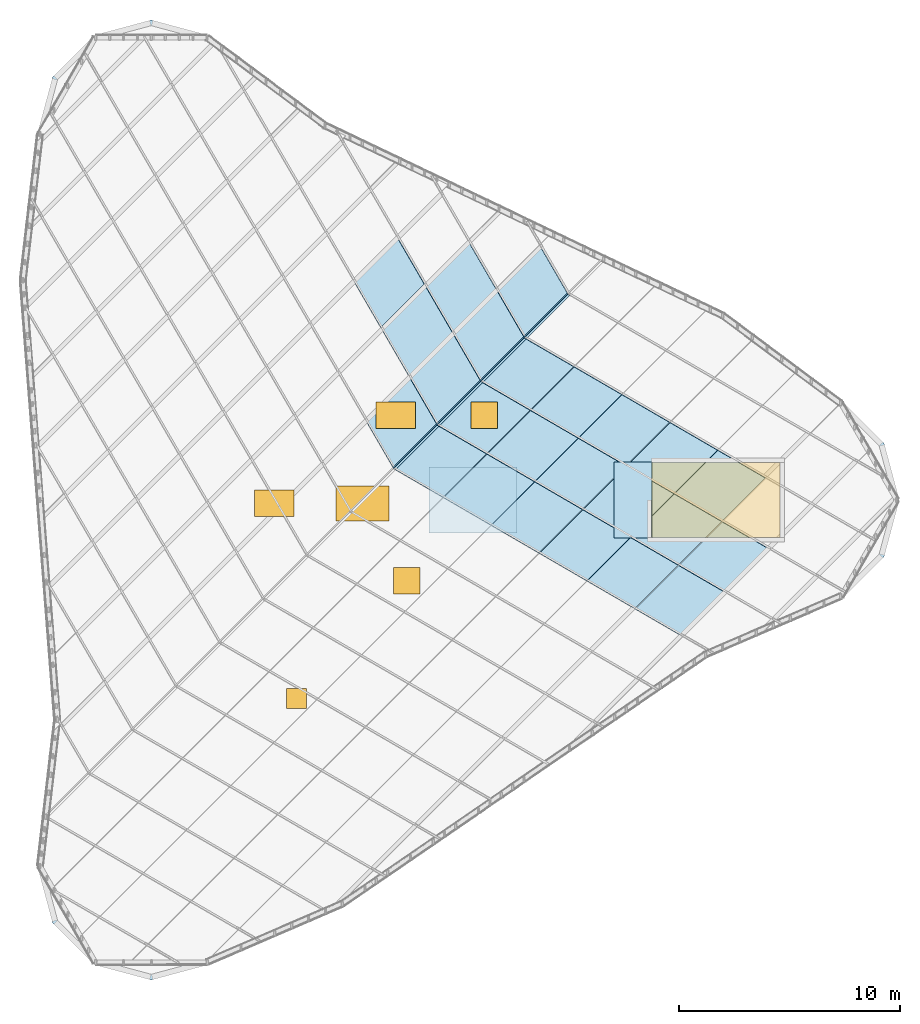
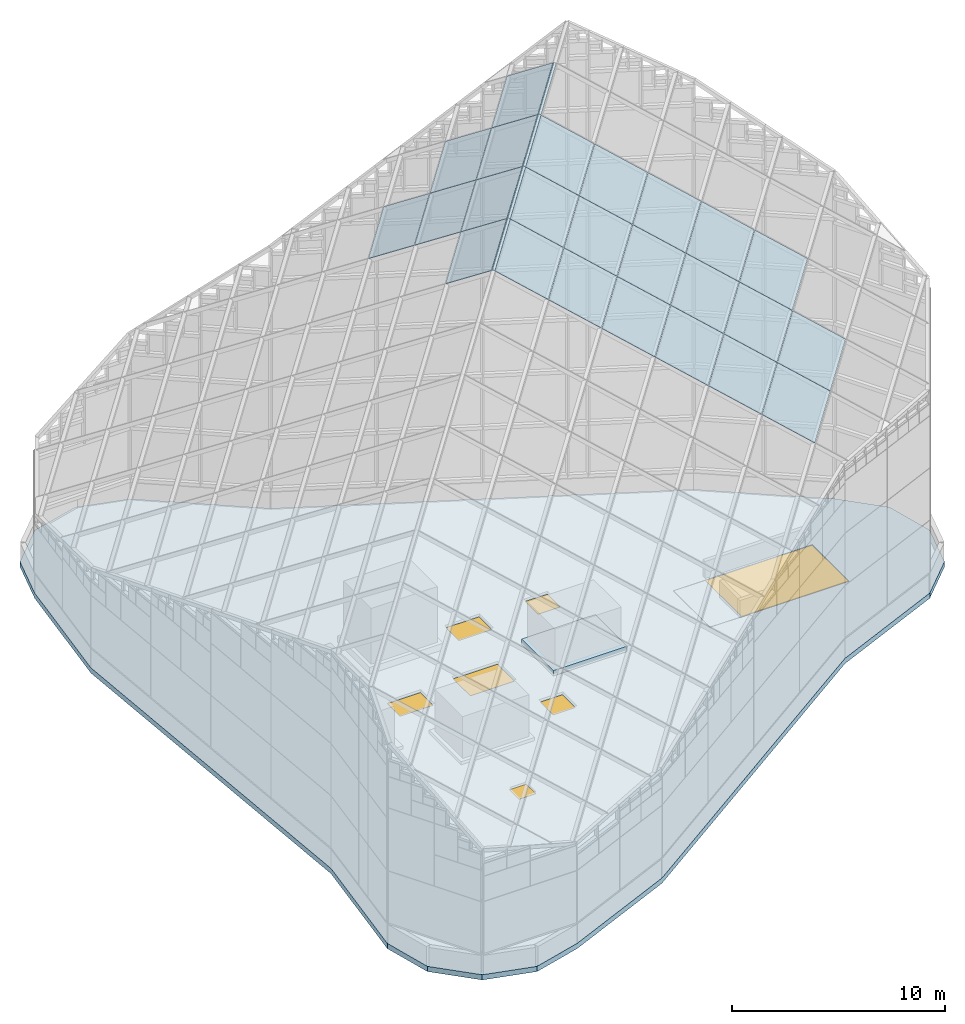
"""IFC4 building model written with IfcOpenShell, lengths in metres."""

from ifc_helpers import new_model, si_unit, direction, frame, origin, origin_2d, place, context, subcontext, project, spatial, polyline, rectangle, outline, extrude, material, layer, layer_set, type_object, element, fill, aggregate, save


model = new_model("IFC4")

# Units and contexts
model_context = context("Model", 3, precision=1e-05, world=origin(), true_north=direction((0.0, 1.0)))
body_context = subcontext(model_context, "Body", "Model", "MODEL_VIEW")
ifc_project = project(units=[si_unit("LENGTHUNIT", "METRE"), si_unit("AREAUNIT", "SQUARE_METRE"), si_unit("VOLUMEUNIT", "CUBIC_METRE"), si_unit("PLANEANGLEUNIT", "RADIAN"), si_unit("MASSUNIT", "GRAM", prefix="KILO")], contexts=[model_context])

# Site, building, storey
site_placement = place(None, origin())
site = spatial("IfcSite", under=ifc_project, at=site_placement, CompositionType="ELEMENT")
building_placement = place(site_placement, origin())
building = spatial("IfcBuilding", under=site, at=building_placement, Name="Tanit Gate Tower", CompositionType="ELEMENT")
storey_1_placement = place(building_placement, frame((0.0, 0.0, 445.300048828125)))
storey_1 = spatial("IfcBuildingStorey", under=building, at=storey_1_placement, Name="ROOF", CompositionType="ELEMENT", Elevation=445.300048828125)

# Slab
ifc_material_1 = material(Name="Concrete C30/37", Category="concrete")
ifc_layer_1 = layer(ifc_material_1, 0.300048828125)
ifc_layer_set_1 = layer_set([ifc_layer_1], Name="EQUIPMENT PLINTH 300 C30/37")
slab_type_1 = type_object("IfcSlabType", Name="EQUIPMENT PLINTH 300 C30/37", PredefinedType="USERDEFINED", material=ifc_layer_set_1)
slab_1_placement = place(storey_1_placement, origin())
element("IfcSlab", 1, at=slab_1_placement, inside=storey_1, type_object=slab_type_1, Name="Chiller plinth 1", ObjectType="EQUIPMENT PLINTH", PredefinedType="USERDEFINED", context=body_context, shape_type="SweptSolid", body=[
    extrude(outline(polyline([(3.0, -1.5), (7.0, -1.5), (7.0, 1.5), (3.0, 1.5), (3.0, -1.5)])), origin(), (0.0, 0.0, 1.0), 0.300048828125),
])

# Curtain wall, plates
ifc_material_2 = material(Name="Aluminium bronze anodised and glass", Category="aluminium")
curtain_wall_type = type_object("IfcCurtainWallType", Name="Curtain wall crown roof", PredefinedType="NOTDEFINED", material=ifc_material_2)
curtain_wall_placement = place(storey_1_placement, origin())
curtain_wall = element("IfcCurtainWall", 2, at=curtain_wall_placement, inside=storey_1, type_object=curtain_wall_type, Name="Crown lantern", PredefinedType="NOTDEFINED")
ifc_material_3 = material(Name="Glass tinted laminated safety", Category="glass")
ifc_layer_2 = layer(ifc_material_3, 0.033935546875)
ifc_layer_set_2 = layer_set([ifc_layer_2], Name="Glass panel 34 crown roof")
plate_type = type_object("IfcPlateType", Name="Glass panel 34 crown roof", PredefinedType="CURTAIN_PANEL", material=ifc_layer_set_2)
plate_1_placement = place(storey_1_placement, frame((3.341796875, 3.451171875, 23.14697265625), z_axis=(-0.623731522081, 0.2061754524, 0.753956677263), x_axis=(-0.658422406648, -0.658415435149, -0.364649213878)))
plate_1 = element("IfcPlate", 3, at=plate_1_placement, type_object=plate_type, Name="Lantern roof glass E9.1.1", PredefinedType="CURTAIN_PANEL", context=body_context, shape_type="SweptSolid", body=[
    extrude(outline(polyline([(0.0, 0.0), (2.996058348100865, 0.0), (2.9959695200225775, 0.05843630019068724), (7.191787755947074e-05, 0.058613025087940696), (0.0, 0.0)])), origin(), (0.0, 0.0, -1.0), 0.033935546875),
])
plate_2_placement = place(storey_1_placement, frame((1.36767578125, 1.4814453125, 22.052490234375), z_axis=(-0.624534237095, 0.20751093055, 0.75292509614), x_axis=(0.658416942387, 0.658402803552, 0.364681886378)))
plate_2 = element("IfcPlate", 4, at=plate_2_placement, type_object=plate_type, Name="Lantern roof glass E9.1.2", PredefinedType="CURTAIN_PANEL", context=body_context, shape_type="SweptSolid", body=[
    extrude(outline(polyline([(0.0, 0.0), (2.995736857662405, 0.0), (2.995745035984335, 2.984043891428065), (-0.0003133108738556656, 2.983969808799458), (0.0, 0.0)])), origin(), (0.0, 0.0, -1.0), 0.033935546875),
])
plate_3_placement = place(storey_1_placement, frame((5.317138671875, 5.42626953125, 24.240966796875), z_axis=(-0.62501553161, 0.208370909693, 0.752287943037), x_axis=(-0.658417167069, -0.658417167069, -0.364655547356)))
plate_3 = element("IfcPlate", 5, at=plate_3_placement, type_object=plate_type, Name="Lantern roof glass E10.1.1", PredefinedType="CURTAIN_PANEL", context=body_context, shape_type="SweptSolid", body=[
    extrude(outline(polyline([(0.0, 0.0), (2.9960583482065744, 1.1102230246251565e-16), (2.9961302662955505, 0.058333729505454346), (7.191808897581177e-05, 0.05833372950545447), (0.0, 0.0)])), origin(), (0.0, 0.0, -1.0), 0.033935546875),
])
plate_4_placement = place(storey_1_placement, frame((3.3427734375, 3.45654296875, 23.146240234375), z_axis=(-0.624482872201, 0.207452924098, 0.752983682831), x_axis=(0.658417167069, 0.658417167069, 0.364655547356)))
plate_4 = element("IfcPlate", 6, at=plate_4_placement, type_object=plate_type, Name="Lantern roof glass E10.1.2", PredefinedType="CURTAIN_PANEL", context=body_context, shape_type="SweptSolid", body=[
    extrude(outline(polyline([(0.0, 0.0), (2.9960583482065744, -1.1102230246251565e-16), (2.9960685937987797, 2.9840127115717037), (1.0245592205304632e-05, 2.9840127115717037), (0.0, 0.0)])), origin(), (0.0, 0.0, -1.0), 0.033935546875),
])
plate_5_placement = place(storey_1_placement, frame((2.801513671875, 9.758544921875, 20.9609375), z_axis=(-0.624491565552, 0.207467895005, 0.752972348162), x_axis=(-0.658417167069, -0.658417167069, -0.364655547356)))
plate_5 = element("IfcPlate", 7, at=plate_5_placement, type_object=plate_type, Name="Lantern roof glass E10.2.1", PredefinedType="CURTAIN_PANEL", context=body_context, shape_type="SweptSolid", body=[
    extrude(outline(polyline([(0.0, 0.0), (2.9960583482065744, -1.1102230246251565e-16), (2.9960611334161062, 2.971889131192224), (2.7852095315639147e-06, 2.9718891311922246), (0.0, 0.0)])), origin(), (0.0, 0.0, -1.0), 0.033935546875),
])
plate_6_placement = place(storey_1_placement, frame((1.541015625, 11.92919921875, 19.317626953125), z_axis=(-0.624490382617, 0.207420255659, 0.75298645377), x_axis=(-0.658386892491, -0.658447215859, -0.364655952541)))
plate_6 = element("IfcPlate", 8, at=plate_6_placement, type_object=plate_type, Name="Lantern roof glass E10.3.1", PredefinedType="CURTAIN_PANEL", context=body_context, shape_type="SweptSolid", body=[
    extrude(outline(polyline([(0.0, 0.0), (2.99589760649327, 1.1102230246251565e-16), (2.996162893979394, 2.9720657576398315), (0.00010454849869967475, 2.972168336937478), (0.0, 0.0)])), origin(), (0.0, 0.0, -1.0), 0.033935546875),
])
plate_7_placement = place(storey_1_placement, frame((7.292236328125, 7.401611328125, 25.3349609375), z_axis=(-0.624483772663, 0.207408873625, 0.752995070915), x_axis=(-0.658386892155, -0.658447216204, -0.364655952524)))
plate_7 = element("IfcPlate", 9, at=plate_7_placement, type_object=plate_type, Name="Lantern roof glass E11.1.1", PredefinedType="CURTAIN_PANEL", context=body_context, shape_type="SweptSolid", body=[
    extrude(outline(polyline([(0.0, 0.0), (2.9958976064932905, 1.1102230246251565e-16), (2.99597151992278, 0.058333677201745426), (-8.682555785304719e-05, 0.05843625889800637), (0.0, 0.0)])), origin(), (0.0, 0.0, -1.0), 0.033935546875),
])
plate_8_placement = place(storey_1_placement, frame((5.318115234375, 5.431884765625, 24.240234375), z_axis=(-0.624480872258, 0.207464629894, 0.752982116339), x_axis=(0.658422445744, 0.658415413422, 0.364649182514)))
plate_8 = element("IfcPlate", 10, at=plate_8_placement, type_object=plate_type, Name="Lantern roof glass E11.1.2", PredefinedType="CURTAIN_PANEL", context=body_context, shape_type="SweptSolid", body=[
    extrude(outline(polyline([(0.0, 0.0), (2.9960583480995386, 0.0), (2.995907847527131, 2.9838360765115497), (1.0245378134654537e-05, 2.9840127114642363), (0.0, 0.0)])), origin(), (0.0, 0.0, -1.0), 0.033935546875),
])
plate_9_placement = place(storey_1_placement, frame((4.776611328125, 11.73388671875, 22.054931640625), z_axis=(-0.624488397368, 0.207431984172, 0.752984869367), x_axis=(-0.658392170723, -0.65844546253, -0.364649588515)))
plate_9 = element("IfcPlate", 11, at=plate_9_placement, type_object=plate_type, Name="Lantern roof glass E11.2.1", PredefinedType="CURTAIN_PANEL", context=body_context, shape_type="SweptSolid", body=[
    extrude(outline(polyline([(0.0, 0.0), (2.995897605741961, -1.1102230246251565e-16), (2.996002139727374, 2.971889127619991), (0.00010454699610806806, 2.972168336180223), (0.0, 0.0)])), origin(), (0.0, 0.0, -1.0), 0.033935546875),
])
plate_10_placement = place(storey_1_placement, frame((9.267578125, 9.376708984375, 26.428955078125), z_axis=(-0.623731522081, 0.2061754524, 0.753956677263), x_axis=(-0.658447253718, -0.658372733946, -0.364681446288)))
plate_10 = element("IfcPlate", 12, at=plate_10_placement, type_object=plate_type, Name="Lantern roof glass E12.1.1", PredefinedType="CURTAIN_PANEL", context=body_context, shape_type="SweptSolid", body=[
    extrude(outline(polyline([(0.0, 0.0), (2.9958976073574273, -1.1102230246251565e-16), (2.995966067713213, 0.05861302922832379), (-9.227517496346489e-05, 0.05843629484914067), (0.0, 0.0)])), origin(), (0.0, 0.0, -1.0), 0.033935546875),
])
plate_11_placement = place(storey_1_placement, frame((7.293212890625, 7.406982421875, 25.334228515625), z_axis=(-0.624510358389, 0.207454654324, 0.752960409759), x_axis=(0.658401276727, 0.658422445929, 0.364674706418)))
plate_11 = element("IfcPlate", 13, at=plate_11_placement, type_object=plate_type, Name="Lantern roof glass E12.1.2", PredefinedType="CURTAIN_PANEL", context=body_context, shape_type="SweptSolid", body=[
    extrude(outline(polyline([(0.0, 0.0), (2.996058347236692, 0.0), (2.996068594768666, 2.9840127105978995), (0.00017099003117471145, 2.9839101440526066), (0.0, 0.0)])), origin(), (0.0, 0.0, -1.0), 0.033935546875),
])
plate_12_placement = place(storey_1_placement, frame((3.355224609375, 3.3974609375, 23.2197265625), z_axis=(0.207656831584, -0.624627742446, 0.752807295172), x_axis=(-0.658447208677, -0.658386899482, -0.364655952886)))
plate_12 = element("IfcPlate", 14, at=plate_12_placement, type_object=plate_type, Name="Lantern roof glass W11.1.1", PredefinedType="CURTAIN_PANEL", context=body_context, shape_type="SweptSolid", body=[
    extrude(outline(polyline([(0.0, 0.0), (2.995897606492843, 1.1102230246251565e-16), (2.9960607707827633, 0.1327580633927542), (2.425300788824747e-06, 0.13265553395857857), (0.0, 0.0)])), origin(), (0.0, 0.0, -1.0), 0.033935546875),
])
plate_13_placement = place(storey_1_placement, frame((3.64013671875, 0.114013671875, 20.417724609375), z_axis=(0.20751093055, -0.624534237095, 0.75292509614), x_axis=(0.658420692992, 0.658406555674, 0.364668340393)))
plate_13 = element("IfcPlate", 15, at=plate_13_placement, type_object=plate_type, Name="Lantern roof glass W11.1.2", PredefinedType="CURTAIN_PANEL", context=body_context, shape_type="SweptSolid", body=[
    extrude(outline(polyline([(0.0, 0.0), (2.9960583477741, 0.0), (2.995976383901394, 2.9840438903136057), (0.00023952715480046738, 2.9839698156343877), (0.0, 0.0)])), origin(), (0.0, 0.0, -1.0), 0.033935546875),
])
plate_14_placement = place(storey_1_placement, frame((5.810791015625, -1.146484375, 18.7744140625), z_axis=(0.207465003444, -0.624516368041, 0.752952573802), x_axis=(0.658422446243, 0.658401276421, 0.364674706403)))
plate_14 = element("IfcPlate", 16, at=plate_14_placement, type_object=plate_type, Name="Lantern roof glass W11.2.1", PredefinedType="CURTAIN_PANEL", context=body_context, shape_type="SweptSolid", body=[
    extrude(outline(polyline([(0.0, 0.0), (2.996058347236673, 0.0), (2.995983844821482, 2.972199502003347), (8.624008393498528e-05, 2.972302066367685), (0.0, 0.0)])), origin(), (0.0, 0.0, -1.0), 0.033935546875),
])
plate_15_placement = place(storey_1_placement, frame((7.981201171875, -2.40673828125, 17.131103515625), z_axis=(0.207467895005, -0.624491565552, 0.752972348162), x_axis=(0.658417167069, 0.658417167069, 0.364655547356)))
plate_15 = element("IfcPlate", 17, at=plate_15_placement, type_object=plate_type, Name="Lantern roof glass W11.3.1", PredefinedType="CURTAIN_PANEL", context=body_context, shape_type="SweptSolid", body=[
    extrude(outline(polyline([(0.0, 0.0), (2.9960583482065744, 1.1102230246251565e-16), (2.996055562997043, 2.971889131192225), (-2.7852095315639147e-06, 2.9718891311922246), (0.0, 0.0)])), origin(), (0.0, 0.0, -1.0), 0.033935546875),
])
plate_16_placement = place(storey_1_placement, frame((10.151611328125, -3.6669921875, 15.48779296875), z_axis=(0.207467895005, -0.624491565552, 0.752972348162), x_axis=(0.658417167069, 0.658417167069, 0.364655547356)))
plate_16 = element("IfcPlate", 18, at=plate_16_placement, type_object=plate_type, Name="Lantern roof glass W11.4.1", PredefinedType="CURTAIN_PANEL", context=body_context, shape_type="SweptSolid", body=[
    extrude(outline(polyline([(0.0, 0.0), (2.9960583482065744, 1.1102230246251565e-16), (2.996055562997043, 2.971889131192225), (-2.7852095315639147e-06, 2.9718891311922246), (0.0, 0.0)])), origin(), (0.0, 0.0, -1.0), 0.033935546875),
])
plate_17_placement = place(storey_1_placement, frame((12.322265625, -4.927490234375, 13.844482421875), z_axis=(0.207420255659, -0.624490382617, 0.75298645377), x_axis=(0.658422444885, 0.658401277743, 0.364674706468)))
plate_17 = element("IfcPlate", 19, at=plate_17_placement, type_object=plate_type, Name="Lantern roof glass W11.5.1", PredefinedType="CURTAIN_PANEL", context=body_context, shape_type="SweptSolid", body=[
    extrude(outline(polyline([(0.0, 0.0), (2.996058347236754, 0.0), (2.9958948175881313, 2.97206576498077), (-2.7871491735664833e-06, 2.9721683387749613), (0.0, 0.0)])), origin(), (0.0, 0.0, -1.0), 0.033935546875),
])
plate_18_placement = place(storey_1_placement, frame((14.49267578125, -6.187744140625, 12.201171875), z_axis=(0.207467895005, -0.624491565552, 0.752972348162), x_axis=(0.658417167069, 0.658417167069, 0.364655547356)))
plate_18 = element("IfcPlate", 20, at=plate_18_placement, type_object=plate_type, Name="Lantern roof glass W11.6.1", PredefinedType="CURTAIN_PANEL", context=body_context, shape_type="SweptSolid", body=[
    extrude(outline(polyline([(0.0, 0.0), (2.9960583482065744, 1.1102230246251565e-16), (2.996055562997043, 2.971889131192225), (-2.7852095315639147e-06, 2.9718891311922246), (0.0, 0.0)])), origin(), (0.0, 0.0, -1.0), 0.033935546875),
])
plate_19_placement = place(storey_1_placement, frame((5.330322265625, 5.372802734375, 24.313720703125), z_axis=(0.208089374918, -0.624852257907, 0.752501473643), x_axis=(-0.658417167069, -0.658417167069, -0.364655547356)))
plate_19 = element("IfcPlate", 21, at=plate_19_placement, type_object=plate_type, Name="Lantern roof glass W12.1.1", PredefinedType="CURTAIN_PANEL", context=body_context, shape_type="SweptSolid", body=[
    extrude(outline(polyline([(0.0, 0.0), (2.9960583482065744, 0.0), (2.9960653112304034, 0.13265555571127907), (6.963023828916726e-06, 0.13265555571127924), (0.0, 0.0)])), origin(), (0.0, 0.0, -1.0), 0.033935546875),
])
plate_20_placement = place(storey_1_placement, frame((5.615478515625, 2.089111328125, 21.51171875), z_axis=(0.207452924098, -0.624482872201, 0.752983682831), x_axis=(0.658417167069, 0.658417167069, 0.364655547356)))
plate_20 = element("IfcPlate", 22, at=plate_20_placement, type_object=plate_type, Name="Lantern roof glass W12.1.2", PredefinedType="CURTAIN_PANEL", context=body_context, shape_type="SweptSolid", body=[
    extrude(outline(polyline([(0.0, 0.0), (2.9960583482065744, 1.1102230246251565e-16), (2.996048102614369, 2.984012711571704), (-1.0245592205304632e-05, 2.9840127115717037), (0.0, 0.0)])), origin(), (0.0, 0.0, -1.0), 0.033935546875),
])
plate_21_placement = place(storey_1_placement, frame((7.785888671875, 0.828857421875, 19.868408203125), z_axis=(0.207467895005, -0.624491565552, 0.752972348162), x_axis=(0.658417167069, 0.658417167069, 0.364655547356)))
plate_21 = element("IfcPlate", 23, at=plate_21_placement, type_object=plate_type, Name="Lantern roof glass W12.2.1", PredefinedType="CURTAIN_PANEL", context=body_context, shape_type="SweptSolid", body=[
    extrude(outline(polyline([(0.0, 0.0), (2.9960583482065744, 1.1102230246251565e-16), (2.996055562997043, 2.971889131192225), (-2.7852095315639147e-06, 2.9718891311922246), (0.0, 0.0)])), origin(), (0.0, 0.0, -1.0), 0.033935546875),
])
plate_22_placement = place(storey_1_placement, frame((9.95654296875, -0.431396484375, 18.22509765625), z_axis=(0.207420255659, -0.624490382617, 0.75298645377), x_axis=(0.658447215859, 0.658386892491, 0.364655952541)))
plate_22 = element("IfcPlate", 24, at=plate_22_placement, type_object=plate_type, Name="Lantern roof glass W12.3.1", PredefinedType="CURTAIN_PANEL", context=body_context, shape_type="SweptSolid", body=[
    extrude(outline(polyline([(0.0, 0.0), (2.99589760649327, -1.1102230246251565e-16), (2.99579305799457, 2.972168336937478), (-0.0002652874861243104, 2.972065757639831), (0.0, 0.0)])), origin(), (0.0, 0.0, -1.0), 0.033935546875),
])
plate_23_placement = place(storey_1_placement, frame((12.126953125, -1.69189453125, 16.581787109375), z_axis=(0.207467895005, -0.624491565552, 0.752972348162), x_axis=(0.658417167069, 0.658417167069, 0.364655547356)))
plate_23 = element("IfcPlate", 25, at=plate_23_placement, type_object=plate_type, Name="Lantern roof glass W12.4.1", PredefinedType="CURTAIN_PANEL", context=body_context, shape_type="SweptSolid", body=[
    extrude(outline(polyline([(0.0, 0.0), (2.9960583482065744, 1.1102230246251565e-16), (2.996055562997043, 2.971889131192225), (-2.7852095315639147e-06, 2.9718891311922246), (0.0, 0.0)])), origin(), (0.0, 0.0, -1.0), 0.033935546875),
])
plate_24_placement = place(storey_1_placement, frame((14.29736328125, -2.9521484375, 14.9384765625), z_axis=(0.207467895005, -0.624491565552, 0.752972348162), x_axis=(0.658417167069, 0.658417167069, 0.364655547356)))
plate_24 = element("IfcPlate", 26, at=plate_24_placement, type_object=plate_type, Name="Lantern roof glass W12.5.1", PredefinedType="CURTAIN_PANEL", context=body_context, shape_type="SweptSolid", body=[
    extrude(outline(polyline([(0.0, 0.0), (2.9960583482065744, 1.1102230246251565e-16), (2.996055562997043, 2.971889131192225), (-2.7852095315639147e-06, 2.9718891311922246), (0.0, 0.0)])), origin(), (0.0, 0.0, -1.0), 0.033935546875),
])
plate_25_placement = place(storey_1_placement, frame((16.468017578125, -4.21240234375, 13.295166015625), z_axis=(0.207420255659, -0.624490382617, 0.75298645377), x_axis=(0.658447215859, 0.658386892491, 0.364655952541)))
plate_25 = element("IfcPlate", 27, at=plate_25_placement, type_object=plate_type, Name="Lantern roof glass W12.6.1", PredefinedType="CURTAIN_PANEL", context=body_context, shape_type="SweptSolid", body=[
    extrude(outline(polyline([(0.0, 0.0), (2.99589760649327, -1.1102230246251565e-16), (2.99579305799457, 2.972168336937478), (-0.0002652874861243104, 2.972065757639831), (0.0, 0.0)])), origin(), (0.0, 0.0, -1.0), 0.033935546875),
])
plate_26_placement = place(storey_1_placement, frame((7.3056640625, 7.34814453125, 25.40771484375), z_axis=(0.207656831584, -0.624627742446, 0.752807295172), x_axis=(-0.658422452067, -0.658401270753, -0.364674706123)))
plate_26 = element("IfcPlate", 28, at=plate_26_placement, type_object=plate_type, Name="Lantern roof glass W13.1.1", PredefinedType="CURTAIN_PANEL", context=body_context, shape_type="SweptSolid", body=[
    extrude(outline(polyline([(0.0, 0.0), (2.9960583472363274, 3.3306690738754696e-16), (2.9960653122006526, 0.13265553379790462), (0.0001677074620678419, 0.13275805773130006), (0.0, 0.0)])), origin(), (0.0, 0.0, -1.0), 0.033935546875),
])
plate_27_placement = place(storey_1_placement, frame((7.5908203125, 4.064453125, 22.605712890625), z_axis=(0.207464629894, -0.624480872258, 0.752982116339), x_axis=(0.658372755674, 0.658447214621, 0.364681477654)))
plate_27 = element("IfcPlate", 29, at=plate_27_placement, type_object=plate_type, Name="Lantern roof glass W13.1.2", PredefinedType="CURTAIN_PANEL", context=body_context, shape_type="SweptSolid", body=[
    extrude(outline(polyline([(0.0, 0.0), (2.995897607356101, 3.3306690738754696e-16), (2.996224031745839, 2.9838360624520543), (0.00016568885368450914, 2.9840127068818454), (0.0, 0.0)])), origin(), (0.0, 0.0, -1.0), 0.033935546875),
])
plate_28_placement = place(storey_1_placement, frame((9.76123046875, 2.80419921875, 20.96240234375), z_axis=(0.207431984172, -0.624488397368, 0.752984869367), x_axis=(0.65844546253, 0.658392170723, 0.364649588515)))
plate_28 = element("IfcPlate", 30, at=plate_28_placement, type_object=plate_type, Name="Lantern roof glass W13.2.1", PredefinedType="CURTAIN_PANEL", context=body_context, shape_type="SweptSolid", body=[
    extrude(outline(polyline([(0.0, 0.0), (2.995897605741961, 1.1102230246251565e-16), (2.9957930587458526, 2.972168336180223), (-0.00010453398541310222, 2.9718891276199906), (0.0, 0.0)])), origin(), (0.0, 0.0, -1.0), 0.033935546875),
])
plate_29_placement = place(storey_1_placement, frame((11.931640625, 1.543701171875, 19.319091796875), z_axis=(0.207467895005, -0.624491565552, 0.752972348162), x_axis=(0.658417167069, 0.658417167069, 0.364655547356)))
plate_29 = element("IfcPlate", 31, at=plate_29_placement, type_object=plate_type, Name="Lantern roof glass W13.3.1", PredefinedType="CURTAIN_PANEL", context=body_context, shape_type="SweptSolid", body=[
    extrude(outline(polyline([(0.0, 0.0), (2.9960583482065744, 1.1102230246251565e-16), (2.996055562997043, 2.971889131192225), (-2.7852095315639147e-06, 2.9718891311922246), (0.0, 0.0)])), origin(), (0.0, 0.0, -1.0), 0.033935546875),
])
plate_30_placement = place(storey_1_placement, frame((14.102294921875, 0.283447265625, 17.67578125), z_axis=(0.207467295153, -0.624482419816, 0.75298009853), x_axis=(0.658372755719, 0.65844721454, 0.364681477719)))
plate_30 = element("IfcPlate", 32, at=plate_30_placement, type_object=plate_type, Name="Lantern roof glass W13.4.1", PredefinedType="CURTAIN_PANEL", context=body_context, shape_type="SweptSolid", body=[
    extrude(outline(polyline([(0.0, 0.0), (2.995897607356099, 1.1102230246251565e-16), (2.9960700411857406, 2.971889126083176), (1.169829357827723e-05, 2.972065770326376), (0.0, 0.0)])), origin(), (0.0, 0.0, -1.0), 0.033935546875),
])
plate_31_placement = place(storey_1_placement, frame((16.272705078125, -0.976806640625, 16.032470703125), z_axis=(0.207431984172, -0.624488397368, 0.752984869367), x_axis=(0.65844546253, 0.658392170723, 0.364649588515)))
plate_31 = element("IfcPlate", 33, at=plate_31_placement, type_object=plate_type, Name="Lantern roof glass W13.5.1", PredefinedType="CURTAIN_PANEL", context=body_context, shape_type="SweptSolid", body=[
    extrude(outline(polyline([(0.0, 0.0), (2.995897605741961, 1.1102230246251565e-16), (2.9957930587458526, 2.972168336180223), (-0.00010453398541310222, 2.9718891276199906), (0.0, 0.0)])), origin(), (0.0, 0.0, -1.0), 0.033935546875),
])
plate_32_placement = place(storey_1_placement, frame((9.28076171875, 9.3232421875, 26.501708984375), z_axis=(0.208100540671, -0.624841093052, 0.75250765671), x_axis=(-0.658371001887, -0.658452493532, -0.364675112445)))
plate_32 = element("IfcPlate", 34, at=plate_32_placement, type_object=plate_type, Name="Lantern roof glass W14.1.1", PredefinedType="CURTAIN_PANEL", context=body_context, shape_type="SweptSolid", body=[
    extrude(outline(polyline([(0.0, 0.0), (2.9958976074631427, 2.220446049250313e-16), (2.9959123897610946, 0.13265555507039928), (1.4782297952303097e-05, 0.13265555507039906), (0.0, 0.0)])), origin(), (0.0, 0.0, -1.0), 0.033935546875),
])
aggregate(curtain_wall, [plate_1, plate_2, plate_3, plate_4, plate_5, plate_6, plate_7, plate_8, plate_9, plate_10, plate_11, plate_12, plate_13, plate_14, plate_15, plate_16, plate_17, plate_18, plate_19, plate_20, plate_21, plate_22, plate_23, plate_24, plate_25, plate_26, plate_27, plate_28, plate_29, plate_30, plate_31, plate_32])

# Slab
ifc_material_4 = material(Name="Concrete C40/50", Category="concrete")
ifc_layer_3 = layer(ifc_material_4, 0.199951171875)
ifc_layer_set_3 = layer_set([ifc_layer_3], Name="INT-STAIR-LANDING")
slab_type_2 = type_object("IfcSlabType", Name="INT-STAIR-LANDING", PredefinedType="LANDING", material=ifc_layer_set_3)
slab_2_placement = place(storey_1_placement, frame((0.0, 0.0, -0.199951171875)))
element("IfcSlab", 35, at=slab_2_placement, inside=storey_1, type_object=slab_type_2, Name="S1 floor landing", PredefinedType="LANDING", context=body_context, shape_type="SweptSolid", body=[
    extrude(outline(polyline([(11.3798828125, -1.719970703125), (13.10498046875, -1.719970703125), (13.10498046875, 1.719970703125), (11.3798828125, 1.719970703125), (11.3798828125, -1.719970703125)])), origin(), (0.0, 0.0, 1.0), 0.199951171875),
])

# Slab, openings
ifc_material_5 = material(Name="Concrete C35/45", Category="concrete")
ifc_layer_4 = layer(ifc_material_5, 0.300048828125)
ifc_layer_set_4 = layer_set([ifc_layer_4], Name="ROOF SLAB 300 C35/45")
slab_type_3 = type_object("IfcSlabType", Name="ROOF SLAB 300 C35/45", PredefinedType="ROOF", material=ifc_layer_set_4)
slab_3_placement = place(storey_1_placement, frame((0.0, 0.0, -0.300048828125)))
slab_3 = element("IfcSlab", 36, at=slab_3_placement, inside=storey_1, type_object=slab_type_3, Name="ROOF SLAB", PredefinedType="ROOF", context=body_context, shape_type="SweptSolid", body=[
    extrude(outline(polyline([(21.732666015625, 4.466064453125), (23.6201171875, 2.578369140625), (24.31103515625, 0.0), (23.6201171875, -2.578369140625), (21.732666015625, -4.466064453125), (15.597900390625, -7.110595703125), (-0.864013671875, -18.409423828125), (-6.99853515625, -21.053955078125), (-9.5771484375, -21.744873046875), (-12.155517578125, -21.053955078125), (-14.043212890625, -19.16650390625), (-14.73388671875, -16.587890625), (-13.956787109375, -9.952880859375), (-15.510986328125, 9.952880859375), (-14.73388671875, 16.587890625), (-14.043212890625, 19.16650390625), (-12.155517578125, 21.053955078125), (-9.5771484375, 21.744873046875), (-6.99853515625, 21.053955078125), (-1.640869140625, 17.0634765625), (16.375, 8.45654296875), (21.732666015625, 4.466064453125)]), holes=[polyline([(11.3701171875, 1.72998046875), (18.929931640625, 1.72998046875), (18.929931640625, -1.72998046875), (11.3701171875, -1.72998046875), (11.3701171875, 1.72998046875)]), polyline([(6.100341796875, 3.243408203125), (4.900390625, 3.243408203125), (4.900390625, 4.443359375), (6.100341796875, 4.443359375), (6.100341796875, 3.243408203125)]), polyline([(2.600341796875, -4.256591796875), (1.400390625, -4.256591796875), (1.400390625, -3.056640625), (2.600341796875, -3.056640625), (2.600341796875, -4.256591796875)]), polyline([(2.400390625, 3.243408203125), (0.600341796875, 3.243408203125), (0.600341796875, 4.443359375), (2.400390625, 4.443359375), (2.400390625, 3.243408203125)]), polyline([(1.200439453125, -0.956787109375), (-1.19970703125, -0.956787109375), (-1.19970703125, 0.643310546875), (1.200439453125, 0.643310546875), (1.200439453125, -0.956787109375)]), polyline([(-2.550048828125, -9.449951171875), (-3.449951171875, -9.449951171875), (-3.449951171875, -8.550048828125), (-2.550048828125, -8.550048828125), (-2.550048828125, -9.449951171875)]), polyline([(-3.099609375, -0.756591796875), (-4.899658203125, -0.756591796875), (-4.899658203125, 0.443359375), (-3.099609375, 0.443359375), (-3.099609375, -0.756591796875)])]), origin(), (0.0, 0.0, 1.0), 0.300048828125),
])
opening_1_placement = place(slab_3_placement, frame((0.000244140625, -0.15673828125, 0.0)))
opening_1 = element("IfcOpeningElement", 37, at=opening_1_placement, cuts=slab_3, Name="Opening W4", PredefinedType="OPENING", context=body_context, shape_type="SweptSolid", body=[
    extrude(rectangle(XDim=2.39990234375, YDim=1.60009765625, at=origin_2d()), origin(), (0.0, 0.0, 1.0), 0.300048828125),
])
opening_2_placement = place(slab_3_placement, frame((-3.999755859375, -0.15673828125, 0.0)))
opening_2 = element("IfcOpeningElement", 38, at=opening_2_placement, cuts=slab_3, Name="Opening W3", PredefinedType="OPENING", context=body_context, shape_type="SweptSolid", body=[
    extrude(rectangle(XDim=1.800048828125, YDim=1.199951171875, at=origin_2d()), origin(), (0.0, 0.0, 1.0), 0.300048828125),
])
opening_3_placement = place(slab_3_placement, frame((1.500244140625, 3.84326171875, 0.0)))
opening_3 = element("IfcOpeningElement", 39, at=opening_3_placement, cuts=slab_3, Name="Opening W3", PredefinedType="OPENING", context=body_context, shape_type="SweptSolid", body=[
    extrude(rectangle(XDim=1.800048828125, YDim=1.199951171875, at=origin_2d()), origin(), (0.0, 0.0, 1.0), 0.300048828125),
])
opening_4_placement = place(slab_3_placement, frame((2.000244140625, -3.65673828125, 0.0)))
opening_4 = element("IfcOpeningElement", 40, at=opening_4_placement, cuts=slab_3, Name="Opening W2", PredefinedType="OPENING", context=body_context, shape_type="SweptSolid", body=[
    extrude(rectangle(XDim=1.199951171875, YDim=1.199951171875, at=origin_2d()), origin(), (0.0, 0.0, 1.0), 0.300048828125),
])
opening_5_placement = place(slab_3_placement, frame((5.500244140625, 3.84326171875, 0.0)))
opening_5 = element("IfcOpeningElement", 41, at=opening_5_placement, cuts=slab_3, Name="Opening W2", PredefinedType="OPENING", context=body_context, shape_type="SweptSolid", body=[
    extrude(rectangle(XDim=1.199951171875, YDim=1.199951171875, at=origin_2d()), origin(), (0.0, 0.0, 1.0), 0.300048828125),
])
opening_6_placement = place(slab_3_placement, frame((-3.0, -9.0, 0.0)))
opening_6 = element("IfcOpeningElement", 42, at=opening_6_placement, cuts=slab_3, Name="Opening W1", PredefinedType="OPENING", context=body_context, shape_type="SweptSolid", body=[
    extrude(rectangle(XDim=0.89990234375, YDim=0.89990234375, at=origin_2d()), origin(), (0.0, 0.0, 1.0), 0.300048828125),
])
opening_7_placement = place(slab_3_placement, frame((15.99755859375, 0.0, 0.0)))
opening_7 = element("IfcOpeningElement", 43, at=opening_7_placement, cuts=slab_3, Name="Opening RH1", PredefinedType="OPENING", context=body_context, shape_type="SweptSolid", body=[
    extrude(rectangle(XDim=5.804931640625, YDim=3.39990234375, at=origin_2d()), origin(), (0.0, 0.0, 1.0), 0.300048828125),
])

# Storey
storey_2_placement = place(building_placement, frame((0.0, 0.0, 440.300048828125)))
storey_2 = spatial("IfcBuildingStorey", under=building, at=storey_2_placement, Name="L99", CompositionType="ELEMENT", Elevation=440.300048828125)

# Window
ifc_material_6 = material(Name="Steel S355 galvanised and glass", Category="steel")
window_type_1 = type_object("IfcWindowType", Name="Plant equipment hatch 2400x1600", PartitioningType="SINGLE_PANEL", PredefinedType="SKYLIGHT", material=ifc_material_6)
window_1_placement = place(opening_1_placement, frame((0.0, 0.0, 0.25)))
window_1 = element("IfcWindow", 44, at=window_1_placement, inside=storey_2, type_object=window_type_1, Name="Plant equipment hatch", OverallHeight=1.60009765625, OverallWidth=2.39990234375, PartitioningType="SINGLE_PANEL", PredefinedType="SKYLIGHT", context=body_context, shape_type="SweptSolid", body=[
    extrude(rectangle(XDim=2.39990234375, YDim=1.60009765625, at=origin_2d()), origin(), (0.0, 0.0, 1.0), 0.050048828125),
])

fill(opening_1, window_1)

# Door
ifc_material_7 = material(Name="Galvanised steel and insulation", Category="steel")
door_type = type_object("IfcDoorType", Name="Roof access hatch 5805 x 3400", OperationType="NOTDEFINED", PredefinedType="TRAPDOOR", material=ifc_material_7)
door_placement = place(opening_7_placement, frame((0.0, 0.0, 0.25)))
door = element("IfcDoor", 45, at=door_placement, inside=storey_1, type_object=door_type, Name="Roof access hatch RH1", OperationType="SINGLE_SWING_LEFT", OverallHeight=3.39990234375, OverallWidth=5.804931640625, PredefinedType="TRAPDOOR", context=body_context, shape_type="SweptSolid", body=[
    extrude(rectangle(XDim=5.804931640625, YDim=3.39990234375, at=origin_2d()), origin(), (0.0, 0.0, 1.0), 0.050048828125),
])

fill(opening_7, door)

# Window
ifc_material_8 = material(Name="Aluminium bronze anodised and glass", Category="aluminium")
window_type_2 = type_object("IfcWindowType", Name="Rooflight 1200x1200", PartitioningType="SINGLE_PANEL", PredefinedType="SKYLIGHT", material=ifc_material_8)
window_2_placement = place(opening_4_placement, frame((0.0, 0.0, 0.25)))
window_2 = element("IfcWindow", 46, at=window_2_placement, inside=storey_2, type_object=window_type_2, Name="Plant rooflight 4", OverallHeight=1.199951171875, OverallWidth=1.199951171875, PartitioningType="SINGLE_PANEL", PredefinedType="SKYLIGHT", context=body_context, shape_type="SweptSolid", body=[
    extrude(rectangle(XDim=1.199951171875, YDim=1.199951171875, at=origin_2d()), origin(), (0.0, 0.0, 1.0), 0.050048828125),
])

fill(opening_4, window_2)

window_3_placement = place(opening_5_placement, frame((0.0, 0.0, 0.25)))
window_3 = element("IfcWindow", 47, at=window_3_placement, inside=storey_2, type_object=window_type_2, Name="Plant rooflight 5", OverallHeight=1.199951171875, OverallWidth=1.199951171875, PartitioningType="SINGLE_PANEL", PredefinedType="SKYLIGHT", context=body_context, shape_type="SweptSolid", body=[
    extrude(rectangle(XDim=1.199951171875, YDim=1.199951171875, at=origin_2d()), origin(), (0.0, 0.0, 1.0), 0.050048828125),
])

fill(opening_5, window_3)

ifc_material_9 = material(Name="Aluminium bronze anodised and glass", Category="aluminium")
window_type_3 = type_object("IfcWindowType", Name="Rooflight 1800x1200", PartitioningType="SINGLE_PANEL", PredefinedType="SKYLIGHT", material=ifc_material_9)
window_4_placement = place(opening_2_placement, frame((0.0, 0.0, 0.25)))
window_4 = element("IfcWindow", 48, at=window_4_placement, inside=storey_2, type_object=window_type_3, Name="Plant rooflight 2", OverallHeight=1.199951171875, OverallWidth=1.800048828125, PartitioningType="SINGLE_PANEL", PredefinedType="SKYLIGHT", context=body_context, shape_type="SweptSolid", body=[
    extrude(rectangle(XDim=1.800048828125, YDim=1.199951171875, at=origin_2d()), origin(), (0.0, 0.0, 1.0), 0.050048828125),
])

fill(opening_2, window_4)

window_5_placement = place(opening_3_placement, frame((0.0, 0.0, 0.25)))
window_5 = element("IfcWindow", 49, at=window_5_placement, inside=storey_2, type_object=window_type_3, Name="Plant rooflight 3", OverallHeight=1.199951171875, OverallWidth=1.800048828125, PartitioningType="SINGLE_PANEL", PredefinedType="SKYLIGHT", context=body_context, shape_type="SweptSolid", body=[
    extrude(rectangle(XDim=1.800048828125, YDim=1.199951171875, at=origin_2d()), origin(), (0.0, 0.0, 1.0), 0.050048828125),
])

fill(opening_3, window_5)

ifc_material_10 = material(Name="Aluminium bronze anodised and glass", Category="aluminium")
window_type_4 = type_object("IfcWindowType", Name="Skylight roof access hatch 900x900", PartitioningType="SINGLE_PANEL", PredefinedType="SKYLIGHT", material=ifc_material_10)
window_6_placement = place(opening_6_placement, frame((0.0, 0.0, 0.25)))
window_6 = element("IfcWindow", 50, at=window_6_placement, inside=storey_2, type_object=window_type_4, Name="Roof access hatch", OverallHeight=0.89990234375, OverallWidth=0.89990234375, PartitioningType="SINGLE_PANEL", PredefinedType="SKYLIGHT", context=body_context, shape_type="SweptSolid", body=[
    extrude(rectangle(XDim=0.89990234375, YDim=0.89990234375, at=origin_2d()), origin(), (0.0, 0.0, 1.0), 0.050048828125),
])

fill(opening_6, window_6)

save(model, "model.ifc")
